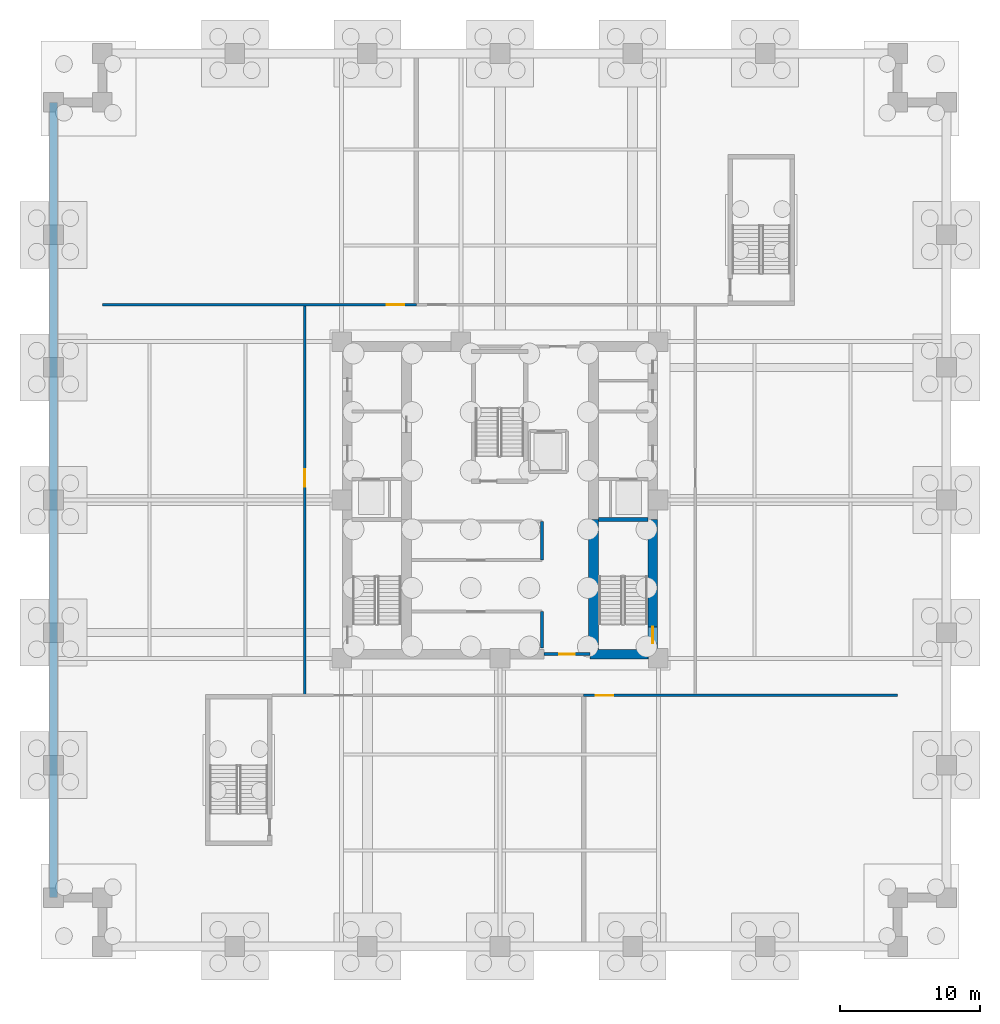
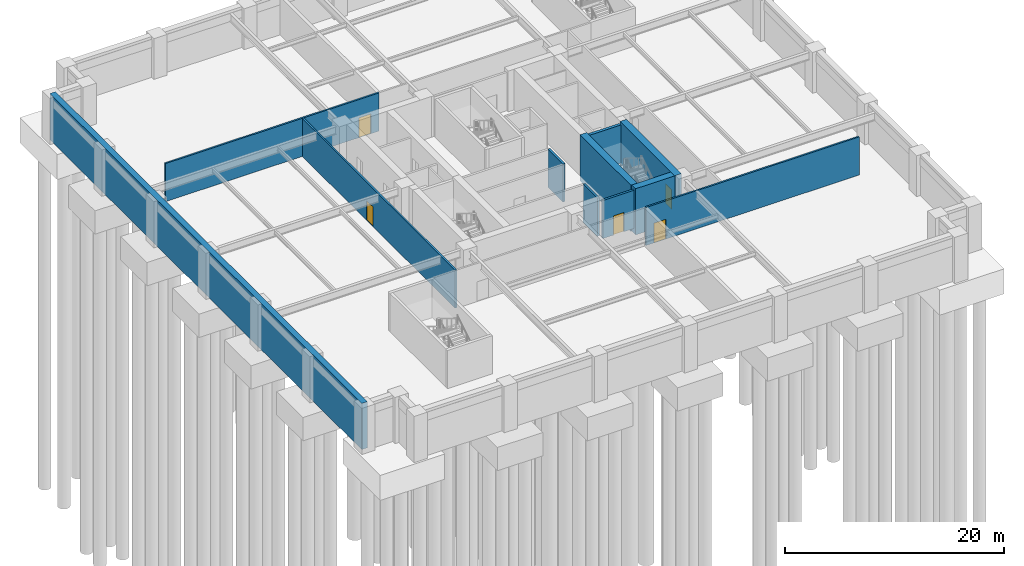
# One storey, part 3 of 8: 11 walls, 5 doors, 5 openings.
"""IFC4 building model written with IfcOpenShell, lengths in metres."""

from ifc_helpers import new_model, si_unit, direction, frame, frame_2d, origin, place, context, subcontext, project, spatial, rectangle, extrude, material, layer, layer_set, type_object, element, fill, save


model = new_model("IFC4")

# Units and contexts
model_context = context("Model", 3, precision=1e-05, world=origin(), true_north=direction((0.0, 1.0)))
body_context = subcontext(model_context, "Body", "Model", "MODEL_VIEW")
ifc_project = project(units=[si_unit("LENGTHUNIT", "METRE"), si_unit("AREAUNIT", "SQUARE_METRE"), si_unit("VOLUMEUNIT", "CUBIC_METRE"), si_unit("PLANEANGLEUNIT", "RADIAN"), si_unit("MASSUNIT", "GRAM", prefix="KILO")], contexts=[model_context])

# Site, building, storey
site_placement = place(None, origin())
site = spatial("IfcSite", under=ifc_project, at=site_placement, CompositionType="ELEMENT")
building_placement = place(site_placement, origin())
building = spatial("IfcBuilding", under=site, at=building_placement, Name="Nhamokura Convention Tower", CompositionType="ELEMENT")
storey_placement = place(building_placement, frame((0.0, 0.0, -9.10009765625)))
storey = spatial("IfcBuildingStorey", under=building, at=storey_placement, Name="B02", CompositionType="ELEMENT", Elevation=-9.10009765625)

# Wall
ifc_material_1 = material(Name="Concrete C50/60", Category="concrete")
ifc_layer_1 = layer(ifc_material_1, 0.60009765625)
ifc_layer_set_1 = layer_set([ifc_layer_1], Name="BasementRetainingWall_600")
wall_type_1 = type_object("IfcWallType", Name="BasementRetainingWall_600", PredefinedType="USERDEFINED", material=ifc_layer_set_1)
wall_1_placement = place(storey_placement, frame((0.0, 60.5, -0.599853515625), z_axis=(0.0, 0.0, 1.0), x_axis=(0.0, -1.0, 0.0)))
element("IfcWall", 1, at=wall_1_placement, inside=storey, type_object=wall_type_1, Name="B02 Perimeter Retaining Wall 10", ObjectType="RETAININGWALL", PredefinedType="USERDEFINED", context=body_context, shape_type="SweptSolid", body=[
    extrude(rectangle(XDim=57.0, YDim=0.60009765625, at=frame_2d((28.5, 0.0))), origin(), (0.0, 0.0, 1.0), 5.14990234375),
])

# Wall, opening, door
ifc_material_2 = material(Name="Concrete C70/85", Category="concrete")
ifc_layer_2 = layer(ifc_material_2, 0.699951171875)
ifc_layer_set_2 = layer_set([ifc_layer_2], Name="CoreShearWall_700")
wall_type_2 = type_object("IfcWallType", Name="CoreShearWall_700", PredefinedType="SHEAR", material=ifc_layer_set_2)
wall_2_placement = place(storey_placement, frame((42.93994140625, 20.60009765625, -0.599853515625), z_axis=(0.0, 0.0, 1.0), x_axis=(0.0, 1.0, 0.0)))
wall_2 = element("IfcWall", 2, at=wall_2_placement, inside=storey, type_object=wall_type_2, Name="B02 Core Shear Wall CW-ES", PredefinedType="SHEAR", context=body_context, shape_type="SweptSolid", body=[
    extrude(rectangle(XDim=10.0, YDim=0.699951171875, at=frame_2d((5.0, 0.0))), origin(), (0.0, 0.0, 1.0), 5.14990234375),
])
opening_1_placement = place(wall_2_placement, frame((1.14990234375, 0.0, 0.60009765625)))
opening_1 = element("IfcOpeningElement", 3, at=opening_1_placement, cuts=wall_2, Name="Opening D-04", PredefinedType="OPENING", context=body_context, shape_type="SweptSolid", body=[
    extrude(rectangle(XDim=1.14990234375, YDim=2.14990234375, at=frame_2d((0.574951171875, 1.074951171875))), frame((0.0, 0.35986328125, 0.0), z_axis=(0.0, -1.0, 0.0), x_axis=(1.0, 0.0, 0.0)), (0.0, 0.0, 1.0), 0.719970703125),
])
ifc_material_3 = material(Name="Fire-rated steel door", Category="steel")
door_type_1 = type_object("IfcDoorType", Name="StairSmokeDoor_1150", OperationType="NOTDEFINED", PredefinedType="DOOR", material=ifc_material_3)
door_1_placement = place(opening_1_placement, origin())
door_1 = element("IfcDoor", 4, at=door_1_placement, inside=storey, type_object=door_type_1, Name="B02 Core Door INT-B02-D-ST02", OperationType="SINGLE_SWING_RIGHT", OverallHeight=2.14990234375, OverallWidth=1.14990234375, PredefinedType="DOOR", context=body_context, shape_type="SweptSolid", body=[
    extrude(rectangle(XDim=1.14990234375, YDim=2.14990234375, at=frame_2d((0.574951171875, 1.074951171875))), frame((0.0, 0.02490234375, 0.0), z_axis=(0.0, -1.0, 0.0), x_axis=(1.0, 0.0, 0.0)), (0.0, 0.0, 1.0), 0.050048828125),
])
fill(opening_1, door_1)

# Walls
wall_3_placement = place(storey_placement, frame((38.449951171875, 20.949951171875, -0.599853515625), z_axis=(0.0, 0.0, 1.0), x_axis=(1.0, 0.0, 0.0)))
element("IfcWall", 5, at=wall_3_placement, inside=storey, type_object=wall_type_2, Name="B02 Core Shear Wall CW-S2", PredefinedType="SHEAR", context=body_context, shape_type="SweptSolid", body=[
    extrude(rectangle(XDim=4.14013671875, YDim=0.699951171875, at=frame_2d((2.070068359375, 0.0))), origin(), (0.0, 0.0, 1.0), 5.14990234375),
])
wall_4_placement = place(storey_placement, frame((38.7099609375, 21.300048828125, -0.599853515625), z_axis=(0.0, 0.0, 1.0), x_axis=(0.0, 1.0, 0.0)))
element("IfcWall", 6, at=wall_4_placement, inside=storey, type_object=wall_type_2, Name="B02 Core Shear Wall CW-IES", PredefinedType="SHEAR", context=body_context, shape_type="SweptSolid", body=[
    extrude(rectangle(XDim=9.300048828125, YDim=0.699951171875, at=frame_2d((4.64990234375, 0.0))), origin(), (0.0, 0.0, 1.0), 5.14990234375),
])

# Wall, opening, door
ifc_material_4 = material(Name="Fire-rated gypsum and masonry partition", Category="masonry")
ifc_layer_3 = layer(ifc_material_4, 0.179931640625)
ifc_layer_set_3 = layer_set([ifc_layer_3], Name="CorridorRatedWall_180")
wall_type_3 = type_object("IfcWallType", Name="CorridorRatedWall_180", PredefinedType="STANDARD", material=ifc_layer_set_3)
wall_5_placement = place(storey_placement, frame((38.0, 18.0, 0.0), z_axis=(0.0, 0.0, 1.0), x_axis=(1.0, 0.0, 0.0)))
wall_5 = element("IfcWall", 7, at=wall_5_placement, inside=storey, type_object=wall_type_3, Name="B02 Wall INT-B02-CW-S01", PredefinedType="STANDARD", context=body_context, shape_type="SweptSolid", body=[
    extrude(rectangle(XDim=22.5, YDim=0.179931640625, at=frame_2d((11.25, 0.0))), origin(), (0.0, 0.0, 1.0), 4.25),
])
opening_2_placement = place(wall_5_placement, frame((0.85009765625, 0.0, 0.0)))
opening_2 = element("IfcOpeningElement", 8, at=opening_2_placement, cuts=wall_5, Name="Opening D-12", PredefinedType="OPENING", context=body_context, shape_type="SweptSolid", body=[
    extrude(rectangle(XDim=1.25, YDim=2.199951171875, at=frame_2d((0.625, 1.10009765625))), frame((0.0, 0.099853515625, 0.0), z_axis=(0.0, -1.0, 0.0), x_axis=(1.0, 0.0, 0.0)), (0.0, 0.0, 1.0), 0.199951171875),
])
ifc_material_5 = material(Name="Fire-rated steel door", Category="steel")
door_type_2 = type_object("IfcDoorType", Name="PlantServiceDoor_1250", OperationType="NOTDEFINED", PredefinedType="DOOR", material=ifc_material_5)
door_2_placement = place(opening_2_placement, origin())
door_2 = element("IfcDoor", 9, at=door_2_placement, inside=storey, type_object=door_type_2, Name="B02 Primary 34.5kV Substation S02 Door", OperationType="SINGLE_SWING_RIGHT", OverallHeight=2.199951171875, OverallWidth=1.25, PredefinedType="DOOR", context=body_context, shape_type="SweptSolid", body=[
    extrude(rectangle(XDim=1.25, YDim=2.199951171875, at=frame_2d((0.625, 1.10009765625))), frame((0.0, 0.02490234375, 0.0), z_axis=(0.0, -1.0, 0.0), x_axis=(1.0, 0.0, 0.0)), (0.0, 0.0, 1.0), 0.050048828125),
])
fill(opening_2, door_2)

wall_6_placement = place(storey_placement, frame((3.5, 46.0, 0.0), z_axis=(0.0, 0.0, 1.0), x_axis=(1.0, 0.0, 0.0)))
wall_6 = element("IfcWall", 10, at=wall_6_placement, inside=storey, type_object=wall_type_3, Name="B02 Wall INT-B02-CW-N00", PredefinedType="STANDARD", context=body_context, shape_type="SweptSolid", body=[
    extrude(rectangle(XDim=22.5, YDim=0.179931640625, at=frame_2d((11.25, 0.0))), origin(), (0.0, 0.0, 1.0), 4.25),
])
opening_3_placement = place(wall_6_placement, frame((20.39990234375, 0.0, 0.0)))
opening_3 = element("IfcOpeningElement", 11, at=opening_3_placement, cuts=wall_6, Name="Opening D-12", PredefinedType="OPENING", context=body_context, shape_type="SweptSolid", body=[
    extrude(rectangle(XDim=1.25, YDim=2.199951171875, at=frame_2d((0.625, 1.10009765625))), frame((0.0, 0.099853515625, 0.0), z_axis=(0.0, -1.0, 0.0), x_axis=(1.0, 0.0, 0.0)), (0.0, 0.0, 1.0), 0.199951171875),
])
door_3_placement = place(opening_3_placement, origin())
door_3 = element("IfcDoor", 12, at=door_3_placement, inside=storey, type_object=door_type_2, Name="B02 Standby Generator Hall N01 Door", OperationType="SINGLE_SWING_LEFT", OverallHeight=2.199951171875, OverallWidth=1.25, PredefinedType="DOOR", context=body_context, shape_type="SweptSolid", body=[
    extrude(rectangle(XDim=1.25, YDim=2.199951171875, at=frame_2d((0.625, 1.10009765625))), frame((0.0, 0.02490234375, 0.0), z_axis=(0.0, -1.0, 0.0), x_axis=(1.0, 0.0, 0.0)), (0.0, 0.0, 1.0), 0.050048828125),
])
fill(opening_3, door_3)

wall_7_placement = place(storey_placement, frame((18.0, 18.0, 0.0), z_axis=(0.0, 0.0, 1.0), x_axis=(0.0, 1.0, 0.0)))
wall_7 = element("IfcWall", 13, at=wall_7_placement, inside=storey, type_object=wall_type_3, Name="B02 Wall INT-B02-CW-W00", PredefinedType="STANDARD", context=body_context, shape_type="SweptSolid", body=[
    extrude(rectangle(XDim=28.0, YDim=0.179931640625, at=frame_2d((14.0, 0.0))), origin(), (0.0, 0.0, 1.0), 4.25),
])
opening_4_placement = place(wall_7_placement, frame((14.949951171875, 0.0, 0.0)))
opening_4 = element("IfcOpeningElement", 14, at=opening_4_placement, cuts=wall_7, Name="Opening D-12", PredefinedType="OPENING", context=body_context, shape_type="SweptSolid", body=[
    extrude(rectangle(XDim=1.25, YDim=2.199951171875, at=frame_2d((0.625, 1.10009765625))), frame((0.0, 0.099853515625, 0.0), z_axis=(0.0, -1.0, 0.0), x_axis=(1.0, 0.0, 0.0)), (0.0, 0.0, 1.0), 0.199951171875),
])
door_4_placement = place(opening_4_placement, origin())
door_4 = element("IfcDoor", 15, at=door_4_placement, inside=storey, type_object=door_type_2, Name="B02 Convention Crate Storage W01 Door", OperationType="SINGLE_SWING_LEFT", OverallHeight=2.199951171875, OverallWidth=1.25, PredefinedType="DOOR", context=body_context, shape_type="SweptSolid", body=[
    extrude(rectangle(XDim=1.25, YDim=2.199951171875, at=frame_2d((0.625, 1.10009765625))), frame((0.0, 0.02490234375, 0.0), z_axis=(0.0, -1.0, 0.0), x_axis=(1.0, 0.0, 0.0)), (0.0, 0.0, 1.0), 0.050048828125),
])
fill(opening_4, door_4)

ifc_material_6 = material(Name="Autoclaved concrete blockwork", Category="masonry")
ifc_layer_4 = layer(ifc_material_6, 0.219970703125)
ifc_layer_set_4 = layer_set([ifc_layer_4], Name="FireLobbyWall_220")
wall_type_4 = type_object("IfcWallType", Name="FireLobbyWall_220", PredefinedType="STANDARD", material=ifc_layer_set_4)
wall_8_placement = place(storey_placement, frame((35.14990234375, 20.949951171875, 0.0), z_axis=(0.0, 0.0, 1.0), x_axis=(1.0, 0.0, 0.0)))
wall_8 = element("IfcWall", 16, at=wall_8_placement, inside=storey, type_object=wall_type_4, Name="B02 Wall INT-B02-SPORT-S", PredefinedType="STANDARD", context=body_context, shape_type="SweptSolid", body=[
    extrude(rectangle(XDim=3.300048828125, YDim=0.219970703125, at=frame_2d((1.64990234375, 0.0))), origin(), (0.0, 0.0, 1.0), 4.25),
])
opening_5_placement = place(wall_8_placement, frame((1.10009765625, 0.0, 0.0)))
opening_5 = element("IfcOpeningElement", 17, at=opening_5_placement, cuts=wall_8, Name="Opening D-05", PredefinedType="OPENING", context=body_context, shape_type="SweptSolid", body=[
    extrude(rectangle(XDim=1.10009765625, YDim=2.14990234375, at=frame_2d((0.550048828125, 1.074951171875))), frame((0.0, 0.119873046875, 0.0), z_axis=(0.0, -1.0, 0.0), x_axis=(1.0, 0.0, 0.0)), (0.0, 0.0, 1.0), 0.239990234375),
])
ifc_material_7 = material(Name="Fire-rated steel door", Category="steel")
door_type_3 = type_object("IfcDoorType", Name="FireLobbyDoor_1100", OperationType="NOTDEFINED", PredefinedType="DOOR", material=ifc_material_7)
door_5_placement = place(opening_5_placement, origin())
door_5 = element("IfcDoor", 18, at=door_5_placement, inside=storey, type_object=door_type_3, Name="B02 South Core Lobby Portal Door", OperationType="SINGLE_SWING_LEFT", OverallHeight=2.14990234375, OverallWidth=1.10009765625, PredefinedType="DOOR", context=body_context, shape_type="SweptSolid", body=[
    extrude(rectangle(XDim=1.10009765625, YDim=2.14990234375, at=frame_2d((0.550048828125, 1.074951171875))), frame((0.0, 0.02490234375, 0.0), z_axis=(0.0, -1.0, 0.0), x_axis=(1.0, 0.0, 0.0)), (0.0, 0.0, 1.0), 0.050048828125),
])
fill(opening_5, door_5)

# Walls
wall_9_placement = place(storey_placement, frame((35.0, 21.39990234375, 0.0), z_axis=(0.0, 0.0, 1.0), x_axis=(0.0, 1.0, 0.0)))
element("IfcWall", 19, at=wall_9_placement, inside=storey, type_object=wall_type_4, Name="B02 Wall INT-B02-B1E", PredefinedType="STANDARD", context=body_context, shape_type="SweptSolid", body=[
    extrude(rectangle(XDim=2.60009765625, YDim=0.219970703125, at=frame_2d((1.300048828125, 0.0))), origin(), (0.0, 0.0, 1.0), 4.25),
])
wall_10_placement = place(storey_placement, frame((35.0, 27.699951171875, 0.0), z_axis=(0.0, 0.0, 1.0), x_axis=(0.0, 1.0, 0.0)))
element("IfcWall", 20, at=wall_10_placement, inside=storey, type_object=wall_type_4, Name="B02 Wall INT-B02-B2E", PredefinedType="STANDARD", context=body_context, shape_type="SweptSolid", body=[
    extrude(rectangle(XDim=2.75, YDim=0.219970703125, at=frame_2d((1.375, 0.0))), origin(), (0.0, 0.0, 1.0), 4.25),
])
ifc_material_8 = material(Name="Concrete C50/60", Category="concrete")
ifc_layer_5 = layer(ifc_material_8, 0.300048828125)
ifc_layer_set_5 = layer_set([ifc_layer_5], Name="ShaftEnclosureWall_300")
wall_type_5 = type_object("IfcWallType", Name="ShaftEnclosureWall_300", PredefinedType="SHEAR", material=ifc_layer_set_5)
wall_11_placement = place(storey_placement, frame((39.06005859375, 30.60009765625, 0.0), z_axis=(0.0, 0.0, 1.0), x_axis=(1.0, 0.0, 0.0)))
element("IfcWall", 21, at=wall_11_placement, inside=storey, type_object=wall_type_5, Name="B02 Wall INT-B02-ST02-N", PredefinedType="SHEAR", context=body_context, shape_type="SweptSolid", body=[
    extrude(rectangle(XDim=3.530029296875, YDim=0.300048828125, at=frame_2d((1.76513671875, 0.0))), origin(), (0.0, 0.0, 1.0), 4.25),
])

save(model, "model.ifc")
